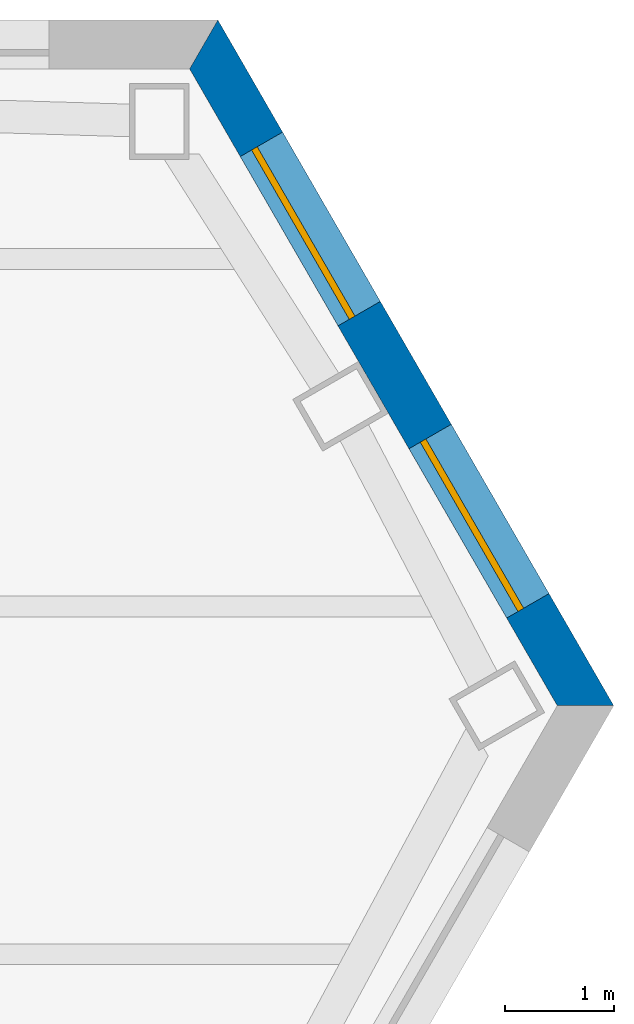
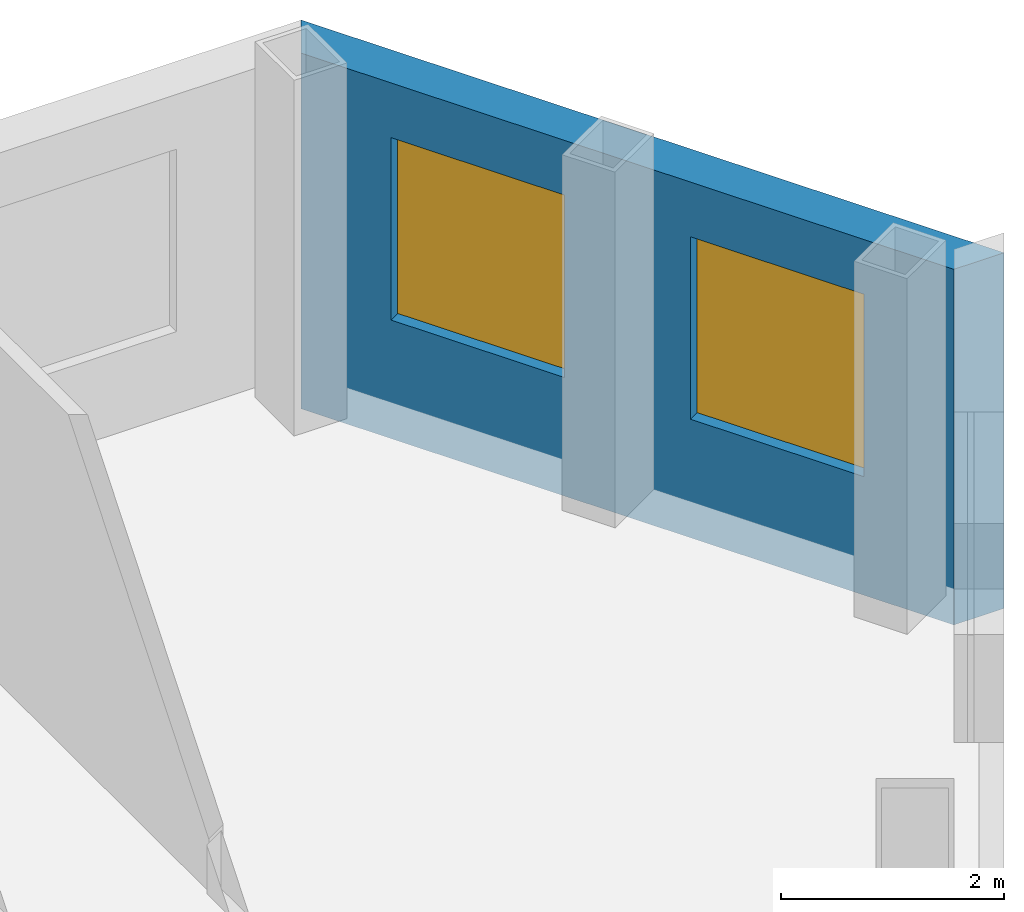
# One storey, part 8 of 11: 2 windows, 1 wall, 2 openings.
"""IFC4 building model written with IfcOpenShell, lengths in metres."""

from ifc_helpers import new_model, si_unit, direction, frame, frame_2d, origin, place, context, subcontext, project, spatial, polyline, rectangle, outline, extrude, material, layer, layer_set, type_object, element, fill, save


model = new_model("IFC4")

# Units and contexts
model_context = context("Model", 3, precision=1e-05, world=origin(), true_north=direction((0.0, 1.0)))
body_context = subcontext(model_context, "Body", "Model", "MODEL_VIEW")
ifc_project = project(units=[si_unit("LENGTHUNIT", "METRE"), si_unit("AREAUNIT", "SQUARE_METRE"), si_unit("VOLUMEUNIT", "CUBIC_METRE"), si_unit("PLANEANGLEUNIT", "RADIAN"), si_unit("MASSUNIT", "GRAM", prefix="KILO")], contexts=[model_context])

# Site, building, storey
site_placement = place(None, origin())
site = spatial("IfcSite", under=ifc_project, at=site_placement, CompositionType="ELEMENT")
building_placement = place(site_placement, origin())
building = spatial("IfcBuilding", under=site, at=building_placement, Name="Njiva Tower", CompositionType="ELEMENT")
storey_placement = place(building_placement, frame((0.0, 0.0, 212.1)))
storey = spatial("IfcBuildingStorey", under=building, at=storey_placement, Name="L47", CompositionType="ELEMENT", Elevation=212.1)

# Wall, openings, windows
ifc_material_1 = material(Name="Brick masonry, buff", Category="masonry")
ifc_layer = layer(ifc_material_1, 0.45)
ifc_layer_set = layer_set([ifc_layer], Name="Brick masonry, buff")
wall_type = type_object("IfcWallType", Name="WT94 Brick pier and spandrel wall 450, buff", PredefinedType="SOLIDWALL", material=ifc_layer_set)
wall_placement = place(storey_placement, frame((26.3852, 13.8867, -0.4), z_axis=(0.0, 0.0, 1.0), x_axis=(-0.500001958282, 0.866024273167, 0.0)))
wall = element("IfcWall", 1, at=wall_placement, inside=storey, type_object=wall_type, Name="Facade wall NE", PredefinedType="SOLIDWALL", context=body_context, shape_type="SweptSolid", body=[
    extrude(outline(polyline([(-0.1299, -0.225), (7.1601, -0.225), (6.9003, 0.225), (0.1299, 0.225), (-0.1299, -0.225)])), origin(), (0.0, 0.0, 1.0), 3.9),
])
opening_1_placement = place(wall_placement, frame((1.0619, 0.0, 1.3)))
opening_1 = element("IfcOpeningElement", 2, at=opening_1_placement, cuts=wall, Name="Opening S15-W33", PredefinedType="OPENING", context=body_context, shape_type="SweptSolid", body=[
    extrude(rectangle(XDim=1.8, YDim=2.0, at=frame_2d((0.9, 1.0))), frame((0.0, 0.235, 0.0), z_axis=(0.0, -1.0, 0.0), x_axis=(1.0, 0.0, 0.0)), (0.0, 0.0, 1.0), 0.47),
])
opening_2_placement = place(wall_placement, frame((4.1682, 0.0, 1.3)))
opening_2 = element("IfcOpeningElement", 3, at=opening_2_placement, cuts=wall, Name="Opening S15-W34", PredefinedType="OPENING", context=body_context, shape_type="SweptSolid", body=[
    extrude(rectangle(XDim=1.8, YDim=2.0, at=frame_2d((0.9, 1.0))), frame((0.0, 0.235, 0.0), z_axis=(0.0, -1.0, 0.0), x_axis=(1.0, 0.0, 0.0)), (0.0, 0.0, 1.0), 0.47),
])
ifc_material_2 = material(Name="Clear glazing in aluminium frame", Category="aluminium")
window_type = type_object("IfcWindowType", Name="W94 Deep-set window 1800x2000", PartitioningType="SINGLE_PANEL", PredefinedType="WINDOW", material=ifc_material_2)
window_1_placement = place(opening_1_placement, origin())
window_1 = element("IfcWindow", 4, at=window_1_placement, inside=storey, type_object=window_type, Name="Window", OverallHeight=2.0, OverallWidth=1.8, PartitioningType="SINGLE_PANEL", PredefinedType="WINDOW", context=body_context, shape_type="SweptSolid", body=[
    extrude(rectangle(XDim=1.8, YDim=2.0, at=frame_2d((0.9, 1.0))), frame((0.0, 0.105, 0.0), z_axis=(0.0, -1.0, 0.0), x_axis=(1.0, 0.0, 0.0)), (0.0, 0.0, 1.0), 0.06),
])
fill(opening_1, window_1)
window_2_placement = place(opening_2_placement, origin())
window_2 = element("IfcWindow", 5, at=window_2_placement, inside=storey, type_object=window_type, Name="Window", OverallHeight=2.0, OverallWidth=1.8, PartitioningType="SINGLE_PANEL", PredefinedType="WINDOW", context=body_context, shape_type="SweptSolid", body=[
    extrude(rectangle(XDim=1.8, YDim=2.0, at=frame_2d((0.9, 1.0))), frame((0.0, 0.105, 0.0), z_axis=(0.0, -1.0, 0.0), x_axis=(1.0, 0.0, 0.0)), (0.0, 0.0, 1.0), 0.06),
])
fill(opening_2, window_2)

save(model, "model.ifc")
